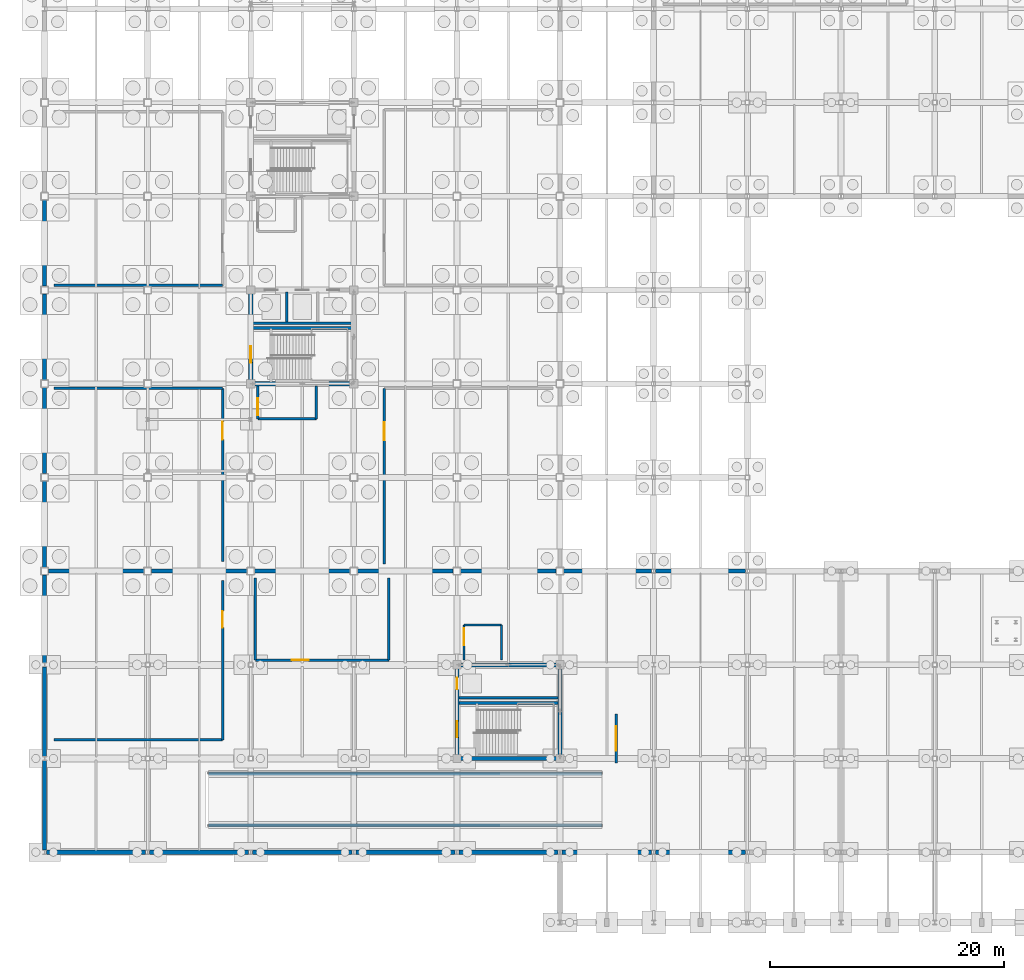
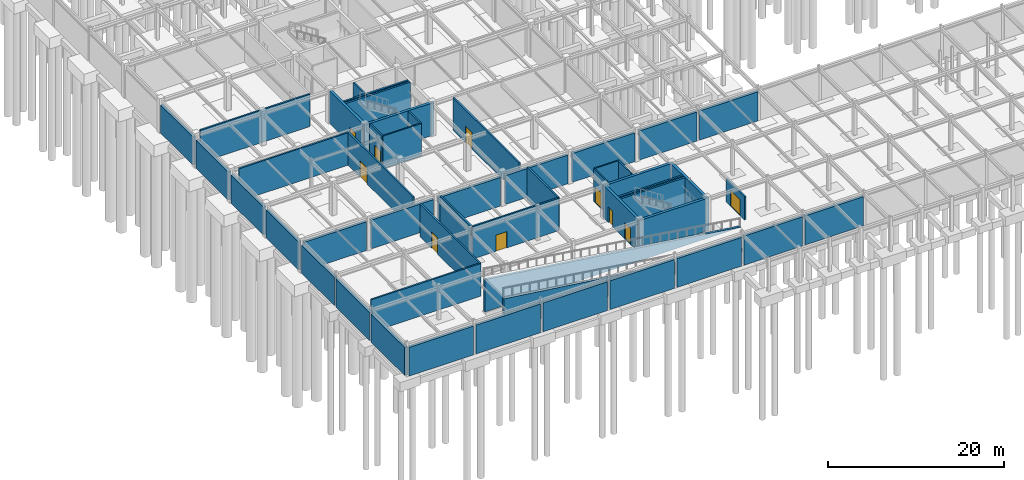
# One storey, part 60 of 72: 50 walls, 10 doors, 10 openings.
"""IFC4 building model written with IfcOpenShell, lengths in metres."""

import ifcopenshell
import ifcopenshell.guid

model = None  # the IFC model being written
_history = None  # IfcOwnerHistory: only IFC2X3 demands one
_inside = {}  # id of a spatial element -> (the spatial element, [elements in it])
_under = {}  # id of a project, library or spatial element -> (it, [spatial elements below it])
_declared = {}  # id of a project -> (the project, [libraries it declares])
_typed = {}  # id of a type object -> (the type object, [elements of that type])
_made_of = {}  # id of a material, layer set ... -> (it, [elements and type objects made of it])


def new_model(schema):
    """Start an empty IFC model of exactly this schema.

    Asked for "IFC4X3", IfcOpenShell would pick the latest addendum, in which some entities
    have other attributes; the version numbers below select the first issue.
    IFC2X3 requires an IfcOwnerHistory on every rooted entity: one is made here for all.
    """
    global model, _history
    if schema == "IFC4X3":
        model = ifcopenshell.file(schema_version=(4, 3, 0, 0))
    else:
        model = ifcopenshell.file(schema=schema)
    _inside.clear()
    _under.clear()
    _declared.clear()
    _typed.clear()
    _made_of.clear()
    _history = None
    if model.schema == "IFC2X3":
        org = make("IfcOrganization", Name="unknown")
        user = make(
            "IfcPersonAndOrganization",
            ThePerson=make("IfcPerson", FamilyName="unknown"),
            TheOrganization=org,
        )
        app = make(
            "IfcApplication",
            ApplicationDeveloper=org,
            Version="unknown",
            ApplicationFullName="unknown",
            ApplicationIdentifier="unknown",
        )
        _history = make(
            "IfcOwnerHistory",
            OwningUser=user,
            OwningApplication=app,
            ChangeAction="ADDED",
            CreationDate=0,
        )
    return model


def make(cls, **values):
    """One entity of the class cls with the attributes given. An attribute that is None is left unset."""
    return model.create_entity(
        cls, **{name: value for name, value in values.items() if value is not None}
    )


def rooted(cls, **values):
    """An entity with a GlobalId (a new one), such as an element, a storey or a relation."""
    return make(cls, GlobalId=ifcopenshell.guid.new(), OwnerHistory=_history, **values)


def si_unit(unit_type, name, prefix=None):
    """IfcSIUnit, for example si_unit("LENGTHUNIT", "METRE", prefix="MILLI")."""
    return make("IfcSIUnit", UnitType=unit_type, Prefix=prefix, Name=name)


def assignment(units):
    """IfcUnitAssignment: the units of a project."""
    return None if units is None else make("IfcUnitAssignment", Units=units)


def point(xyz):
    """IfcCartesianPoint."""
    return None if xyz is None else make("IfcCartesianPoint", Coordinates=xyz)


def direction(xyz):
    """IfcDirection."""
    return None if xyz is None else make("IfcDirection", DirectionRatios=xyz)


def frame(location, z_axis=None, x_axis=None):
    """IfcAxis2Placement3D, a coordinate frame: its origin and axes. An axis left out is left unset."""
    return make(
        "IfcAxis2Placement3D",
        Location=point(location),
        Axis=direction(z_axis),
        RefDirection=direction(x_axis),
    )


def frame_2d(location, x_axis=None):
    """IfcAxis2Placement2D, a coordinate frame in the plane: its origin and x axis."""
    return make(
        "IfcAxis2Placement2D", Location=point(location), RefDirection=direction(x_axis)
    )


def origin():
    """The frame at (0, 0, 0) with its axes left unset."""
    return frame((0.0, 0.0, 0.0))


def place(relative_to, where):
    """IfcLocalPlacement: puts the frame where relative to a parent placement (None: the world)."""
    return make(
        "IfcLocalPlacement", PlacementRelTo=relative_to, RelativePlacement=where
    )


def context(
    kind, dimensions, precision=None, world=None, true_north=None, identifier=None
):
    """IfcGeometricRepresentationContext, for example the 3D "Model" context."""
    return make(
        "IfcGeometricRepresentationContext",
        ContextIdentifier=identifier,
        ContextType=kind,
        CoordinateSpaceDimension=dimensions,
        Precision=precision,
        WorldCoordinateSystem=world,
        TrueNorth=true_north,
    )


def subcontext(parent, identifier, kind, view, scale=None):
    """IfcGeometricRepresentationSubContext, for example "Body" below "Model"."""
    return make(
        "IfcGeometricRepresentationSubContext",
        ContextIdentifier=identifier,
        ContextType=kind,
        ParentContext=parent,
        TargetScale=scale,
        TargetView=view,
    )


def project(units=None, contexts=None):
    """IfcProject with its units and contexts."""
    return rooted(
        "IfcProject",
        Name="project",
        RepresentationContexts=contexts,
        UnitsInContext=assignment(units),
    )


def spatial(cls, under=None, at=None, **own):
    """A site, building, storey or space (cls), placed at a placement, below another one or the project."""
    s = rooted(cls, ObjectPlacement=at, **own)
    if under is not None:
        _under.setdefault(under.id(), (under, []))[1].append(s)
    return s


def polyline(points):
    """IfcPolyline through the points."""
    return make("IfcPolyline", Points=[point(p) for p in points])


def profile(cls, at=None, kind="AREA", **sizes):
    """A parametric profile (cls). Its sizes go by their IFC names, for example OverallWidth=200.0."""
    return make(cls, ProfileType=kind, Position=at, **sizes)


def rectangle(**sizes):
    """IfcRectangleProfileDef."""
    return profile("IfcRectangleProfileDef", **sizes)


def outline(outer, holes=None, kind="AREA"):
    """IfcArbitraryClosedProfileDef: a profile drawn as a closed curve; with holes, ...WithVoids."""
    if holes is None:
        return make("IfcArbitraryClosedProfileDef", ProfileType=kind, OuterCurve=outer)
    return make(
        "IfcArbitraryProfileDefWithVoids",
        ProfileType=kind,
        OuterCurve=outer,
        InnerCurves=holes,
    )


def extrude(swept, where, along, depth):
    """IfcExtrudedAreaSolid: the profile swept, set in the frame where, extruded along a direction by depth."""
    return make(
        "IfcExtrudedAreaSolid",
        SweptArea=swept,
        Position=where,
        ExtrudedDirection=direction(along),
        Depth=depth,
    )


def shape(context_of_items, identifier, shape_type, items):
    """IfcShapeRepresentation: the items that make up one representation, for example the "Body"."""
    return make(
        "IfcShapeRepresentation",
        ContextOfItems=context_of_items,
        RepresentationIdentifier=identifier,
        RepresentationType=shape_type,
        Items=items,
    )


def material(Name=None, Category=None):
    """IfcMaterial."""
    return make("IfcMaterial", Name=Name, Category=Category)


def layer(
    of_material, thickness, ventilated=None, Name=None, Category=None, Priority=None
):
    """IfcMaterialLayer: one layer of a wall or slab, of a material (None: an air gap)."""
    return make(
        "IfcMaterialLayer",
        Material=of_material,
        LayerThickness=thickness,
        IsVentilated=ventilated,
        Name=Name,
        Category=Category,
        Priority=Priority,
    )


def layer_set(layers, Name=None):
    """IfcMaterialLayerSet."""
    return make("IfcMaterialLayerSet", MaterialLayers=layers, LayerSetName=Name)


def made_of(thing, what):
    """Note that an element or type object is made of a material, layer set ...; save() writes the relation."""
    if what is not None:
        _made_of.setdefault(what.id(), (what, []))[1].append(thing)
    return thing


def type_object(cls, material=None, **own):
    """A type object (cls), such as IfcWallType, which elements share."""
    return made_of(rooted(cls, **own), material)


def element(
    cls,
    number,
    at=None,
    inside=None,
    cuts=None,
    type_object=None,
    material=None,
    context=None,
    identifier="Body",
    shape_type=None,
    held_by="IfcProductDefinitionShape",
    body=None,
    shapes=None,
    **own,
):
    """One element of the class cls, such as IfcWall. Its Tag is "e" and its number.

    at: its placement. inside: the storey or other place that contains it. cuts: it is an
    opening in that element (IfcRelVoidsElement). A single representation is given by context,
    identifier, shape_type and body (its items); several are given by shapes. held_by: the class
    of the entity that holds the representations. save() writes the other relations.
    """
    e = rooted(cls, Tag="e%d" % number, ObjectPlacement=at, **own)
    if body is not None:
        shapes = [shape(context, identifier, shape_type, body)]
    if shapes is not None:
        e.Representation = make(held_by, Representations=shapes)
    if inside is not None:
        _inside.setdefault(inside.id(), (inside, []))[1].append(e)
    if cuts is not None:
        rooted(
            "IfcRelVoidsElement", RelatingBuildingElement=cuts, RelatedOpeningElement=e
        )
    if type_object is not None:
        _typed.setdefault(type_object.id(), (type_object, []))[1].append(e)
    return made_of(e, material)


def fill(opening, filler):
    """IfcRelFillsElement: the door or window that sits in an opening."""
    return rooted(
        "IfcRelFillsElement",
        RelatingOpeningElement=opening,
        RelatedBuildingElement=filler,
    )


def aggregate(whole, parts):
    """IfcRelAggregates: a whole, such as a stair, and the parts it consists of."""
    return rooted("IfcRelAggregates", RelatingObject=whole, RelatedObjects=parts)


def save(model, path):
    """Write the relations noted so far, then the file.

    IfcRelAggregates (storeys below a building ...), IfcRelContainedInSpatialStructure (elements
    in a storey), IfcRelDefinesByType, IfcRelAssociatesMaterial and IfcRelDeclares: one each for
    every whole, place, type object, material and project.
    """
    for whole, parts in _under.values():
        aggregate(whole, parts)
    for where, things in _inside.values():
        rooted(
            "IfcRelContainedInSpatialStructure",
            RelatedElements=things,
            RelatingStructure=where,
        )
    for kind, things in _typed.values():
        rooted("IfcRelDefinesByType", RelatedObjects=things, RelatingType=kind)
    for what, things in _made_of.values():
        rooted("IfcRelAssociatesMaterial", RelatedObjects=things, RelatingMaterial=what)
    for by, libraries in _declared.values():
        rooted("IfcRelDeclares", RelatingContext=by, RelatedDefinitions=libraries)
    model.write(path)


model = new_model("IFC4")

# Units and contexts
model_context = context("Model", 3, precision=1e-05, world=origin(), true_north=direction((0.0, 1.0)))
body_context = subcontext(model_context, "Body", "Model", "MODEL_VIEW")
ifc_project = project(units=[si_unit("LENGTHUNIT", "METRE"), si_unit("AREAUNIT", "SQUARE_METRE"), si_unit("VOLUMEUNIT", "CUBIC_METRE"), si_unit("PLANEANGLEUNIT", "RADIAN"), si_unit("MASSUNIT", "GRAM", prefix="KILO")], contexts=[model_context])

# Site, building, storey
site_placement = place(None, origin())
site = spatial("IfcSite", under=ifc_project, at=site_placement, CompositionType="ELEMENT")
building_placement = place(site_placement, origin())
building = spatial("IfcBuilding", under=site, at=building_placement, Name="Zhaolan Boulevard Law Courts", CompositionType="ELEMENT")
storey_placement = place(building_placement, frame((0.0, 0.0, -4.800048828125)))
storey = spatial("IfcBuildingStorey", under=building, at=storey_placement, Name="B1", CompositionType="ELEMENT", Elevation=-4.800048828125)

# Walls
ifc_material_1 = material(Name="Concrete C50", Category="concrete")
ifc_layer_1 = layer(ifc_material_1, 0.300048828125)
ifc_layer_set_1 = layer_set([ifc_layer_1])
wall_type_1 = type_object("IfcWallType", Name="CORE SHEAR WALL 300", PredefinedType="SHEAR", material=ifc_layer_set_1)
for number, where, z_axis, x_axis, name in (
    (1, (14.0, 8.320068359375, 0.0), (0.0, 0.0, 1.0), (1.0, 0.0, 0.0), "Vehicle Ramp Cheek Support Wall VRW-S"),
    (2, (14.0, 12.679931640625, 0.0), (0.0, 0.0, 1.0), (1.0, 0.0, 0.0), "Vehicle Ramp Cheek Support Wall VRW-N"),
):
    element("IfcWall", number, at=place(storey_placement, frame(where, z_axis=z_axis, x_axis=x_axis)), inside=storey, type_object=wall_type_1, Name=name, PredefinedType="SHEAR", context=body_context, shape_type="SweptSolid", body=[
        extrude(outline(polyline([(0.0, 0.0), (33.60009765625, 0.0), (33.60009765625, 0.050048828125), (0.0, 4.47998046875), (0.0, 0.0)])), frame((0.0, 0.14990234375, 0.0), z_axis=(0.0, -1.0, 0.0), x_axis=(1.0, 0.0, 0.0)), (0.0, 0.0, 1.0), 0.300048828125),
    ])
ifc_material_2 = material(Name="Concrete C50", Category="concrete")
ifc_layer_2 = layer(ifc_material_2, 0.35009765625)
ifc_layer_set_2 = layer_set([ifc_layer_2])
wall_type_2 = type_object("IfcWallType", Name="CORE SHEAR WALL 350", PredefinedType="SHEAR", material=ifc_layer_set_2)
wall_1_placement = place(storey_placement, frame((17.425048828125, 46.0, 0.0), z_axis=(0.0, 0.0, 1.0), x_axis=(1.0, 0.0, 0.0)))
element("IfcWall", 3, at=wall_1_placement, inside=storey, type_object=wall_type_2, Name="Core Shear Wall CW-W1-B1S", PredefinedType="SHEAR", context=body_context, shape_type="SweptSolid", body=[
    extrude(rectangle(XDim=9.14990234375, YDim=0.35009765625, at=frame_2d((4.574951171875, 0.0))), origin(), (0.0, 0.0, 1.0), 4.52001953125),
])

# Wall, opening, door
wall_2_placement = place(storey_placement, frame((17.60009765625, 46.175048828125, 0.0), z_axis=(0.0, 0.0, 1.0), x_axis=(0.0, 1.0, 0.0)))
wall_2 = element("IfcWall", 4, at=wall_2_placement, inside=storey, type_object=wall_type_2, Name="Core Shear Wall CW-W1-B1W", PredefinedType="SHEAR", context=body_context, shape_type="SweptSolid", body=[
    extrude(rectangle(XDim=7.64990234375, YDim=0.35009765625, at=frame_2d((3.824951171875, 0.0))), origin(), (0.0, 0.0, 1.0), 4.52001953125),
])
opening_1_placement = place(wall_2_placement, frame((1.625, 0.0, 0.0)))
opening_1 = element("IfcOpeningElement", 5, at=opening_1_placement, cuts=wall_2, Name="Opening SD-B1-01", PredefinedType="OPENING", context=body_context, shape_type="SweptSolid", body=[
    extrude(rectangle(XDim=1.39990234375, YDim=2.199951171875, at=frame_2d((0.699951171875, 1.10009765625))), frame((0.0, 0.18505859375, 0.0), z_axis=(0.0, -1.0, 0.0), x_axis=(1.0, 0.0, 0.0)), (0.0, 0.0, 1.0), 0.3701171875),
])
ifc_material_3 = material(Name="Fire-rated steel acoustic door", Category="steel")
door_type_1 = type_object("IfcDoorType", Name="STAIR FIRE 1400X2200 L", OperationType="SINGLE_SWING_LEFT", PredefinedType="DOOR", material=ifc_material_3)
door_1_placement = place(opening_1_placement, origin())
door_1 = element("IfcDoor", 6, at=door_1_placement, inside=storey, type_object=door_type_1, Name="Smoke-Proof Stairwell Fire Door SD-B1-01", OperationType="SINGLE_SWING_LEFT", OverallHeight=2.199951171875, OverallWidth=1.39990234375, PredefinedType="DOOR", context=body_context, shape_type="SweptSolid", body=[
    extrude(rectangle(XDim=1.39990234375, YDim=2.199951171875, at=frame_2d((0.699951171875, 1.10009765625))), frame((0.0, 0.02490234375, 0.0), z_axis=(0.0, -1.0, 0.0), x_axis=(1.0, 0.0, 0.0)), (0.0, 0.0, 1.0), 0.050048828125),
])
fill(opening_1, door_1)

# Walls
for number, where, z_axis, x_axis, name in (
    (7, (35.02490234375, 14.0, 0.0), (0.0, 0.0, 1.0), (1.0, 0.0, 0.0), "Core Shear Wall CW-P1-B1S"),
    (8, (44.175048828125, 22.0, 0.0), (0.0, 0.0, 1.0), (-1.0, 0.0, 0.0), "Core Shear Wall CW-P1-B1N"),
):
    element("IfcWall", number, at=place(storey_placement, frame(where, z_axis=z_axis, x_axis=x_axis)), inside=storey, type_object=wall_type_2, Name=name, PredefinedType="SHEAR", context=body_context, shape_type="SweptSolid", body=[
        extrude(rectangle(XDim=9.150146484375, YDim=0.35009765625, at=frame_2d((4.5751953125, 0.0))), origin(), (0.0, 0.0, 1.0), 4.52001953125),
    ])

# Wall, openings, doors
wall_3_placement = place(storey_placement, frame((35.199951171875, 14.175048828125, 0.0), z_axis=(0.0, 0.0, 1.0), x_axis=(0.0, 1.0, 0.0)))
wall_3 = element("IfcWall", 9, at=wall_3_placement, inside=storey, type_object=wall_type_2, Name="Core Shear Wall CW-P1-B1W", PredefinedType="SHEAR", context=body_context, shape_type="SweptSolid", body=[
    extrude(rectangle(XDim=7.64990234375, YDim=0.35009765625, at=frame_2d((3.824951171875, 0.0))), origin(), (0.0, 0.0, 1.0), 4.52001953125),
])
opening_2_placement = place(wall_3_placement, frame((1.625, 0.0, 0.0)))
opening_2 = element("IfcOpeningElement", 10, at=opening_2_placement, cuts=wall_3, Name="Opening SD-B1-23", PredefinedType="OPENING", context=body_context, shape_type="SweptSolid", body=[
    extrude(rectangle(XDim=1.39990234375, YDim=2.199951171875, at=frame_2d((0.699951171875, 1.10009765625))), frame((0.0, 0.18505859375, 0.0), z_axis=(0.0, -1.0, 0.0), x_axis=(1.0, 0.0, 0.0)), (0.0, 0.0, 1.0), 0.3701171875),
])
opening_3_placement = place(wall_3_placement, frame((5.72509765625, 0.0, 0.0)))
opening_3 = element("IfcOpeningElement", 11, at=opening_3_placement, cuts=wall_3, Name="Opening LD-PL-01-B1", PredefinedType="OPENING", context=body_context, shape_type="SweptSolid", body=[
    extrude(rectangle(XDim=1.0, YDim=2.14990234375, at=frame_2d((0.5, 1.074951171875))), frame((0.0, 0.18505859375, 0.0), z_axis=(0.0, -1.0, 0.0), x_axis=(1.0, 0.0, 0.0)), (0.0, 0.0, 1.0), 0.3701171875),
])
ifc_material_4 = material(Name="Stainless steel sliding landing door", Category="steel")
door_type_2 = type_object("IfcDoorType", Name="LIFT LANDING 1000X2150", OperationType="DOUBLE_DOOR_SLIDING", PredefinedType="DOOR", material=ifc_material_4)
door_2_placement = place(opening_3_placement, origin())
door_2 = element("IfcDoor", 12, at=door_2_placement, inside=storey, type_object=door_type_2, Name="Lift Landing Sliding Door LD-PL-01-B1", OperationType="DOUBLE_DOOR_SLIDING", OverallHeight=2.14990234375, OverallWidth=1.0, PredefinedType="DOOR", context=body_context, shape_type="SweptSolid", body=[
    extrude(rectangle(XDim=1.0, YDim=2.14990234375, at=frame_2d((0.5, 1.074951171875))), frame((0.0, 0.02490234375, 0.0), z_axis=(0.0, -1.0, 0.0), x_axis=(1.0, 0.0, 0.0)), (0.0, 0.0, 1.0), 0.050048828125),
])
fill(opening_3, door_2)
door_3_placement = place(opening_2_placement, origin())
door_3 = element("IfcDoor", 13, at=door_3_placement, inside=storey, type_object=door_type_1, Name="Smoke-Proof Stairwell Fire Door SD-B1-23", OperationType="SINGLE_SWING_LEFT", OverallHeight=2.199951171875, OverallWidth=1.39990234375, PredefinedType="DOOR", context=body_context, shape_type="SweptSolid", body=[
    extrude(rectangle(XDim=1.39990234375, YDim=2.199951171875, at=frame_2d((0.699951171875, 1.10009765625))), frame((0.0, 0.02490234375, 0.0), z_axis=(0.0, -1.0, 0.0), x_axis=(1.0, 0.0, 0.0)), (0.0, 0.0, 1.0), 0.050048828125),
])
fill(opening_2, door_3)

# Walls
wall_4_placement = place(storey_placement, frame((44.0, 14.175048828125, 0.0), z_axis=(0.0, 0.0, 1.0), x_axis=(0.0, 1.0, 0.0)))
element("IfcWall", 14, at=wall_4_placement, inside=storey, type_object=wall_type_2, Name="Core Shear Wall CW-P1-B1E", PredefinedType="SHEAR", context=body_context, shape_type="SweptSolid", body=[
    extrude(rectangle(XDim=7.64990234375, YDim=0.35009765625, at=frame_2d((3.824951171875, 0.0))), origin(), (0.0, 0.0, 1.0), 4.52001953125),
])
ifc_material_5 = material(Name="Concrete C40", Category="concrete")
ifc_layer_3 = layer(ifc_material_5, 0.360107421875)
ifc_layer_set_3 = layer_set([ifc_layer_3])
wall_type_3 = type_object("IfcWallType", Name="EXT WALL RETAINING360", PredefinedType="USERDEFINED", material=ifc_layer_set_3)
for number, where, z_axis, x_axis, name in (
    (15, (0.1708984375, 6.0, 0.0), (0.0, 0.0, 1.0), (1.0, 0.0, 0.0), "Exterior Wall EW-B1-001"),
    (16, (8.970947265625, 6.0, 0.0), (0.0, 0.0, 1.0), (1.0, 0.0, 0.0), "Exterior Wall EW-B1-002"),
    (17, (17.77099609375, 6.0, 0.0), (0.0, 0.0, 1.0), (1.0, 0.0, 0.0), "Exterior Wall EW-B1-003"),
    (18, (26.571044921875, 6.0, 0.0), (0.0, 0.0, 1.0), (1.0, 0.0, 0.0), "Exterior Wall EW-B1-004"),
    (19, (35.37109375, 6.0, 0.0), (0.0, 0.0, 1.0), (1.0, 0.0, 0.0), "Exterior Wall EW-B1-005"),
):
    element("IfcWall", number, at=place(storey_placement, frame(where, z_axis=z_axis, x_axis=x_axis)), inside=storey, type_object=wall_type_3, Name=name, ObjectType="RETAININGWALL", PredefinedType="USERDEFINED", context=body_context, shape_type="SweptSolid", body=[
        extrude(rectangle(XDim=8.4580078125, YDim=0.360107421875, at=frame_2d((4.22900390625, 0.0))), origin(), (0.0, 0.0, 1.0), 3.9951171875),
    ])
for number, where, z_axis, x_axis, name in (
    (20, (44.1708984375, 6.0, 0.0), (0.0, 0.0, 1.0), (1.0, 0.0, 0.0), "Exterior Wall EW-B1-006"),
    (21, (52.1708984375, 6.0, 0.0), (0.0, 0.0, 1.0), (1.0, 0.0, 0.0), "Exterior Wall EW-B1-007"),
):
    element("IfcWall", number, at=place(storey_placement, frame(where, z_axis=z_axis, x_axis=x_axis)), inside=storey, type_object=wall_type_3, Name=name, ObjectType="RETAININGWALL", PredefinedType="USERDEFINED", context=body_context, shape_type="SweptSolid", body=[
        extrude(rectangle(XDim=7.658203125, YDim=0.360107421875, at=frame_2d((3.8291015625, 0.0))), origin(), (0.0, 0.0, 1.0), 4.04296875),
    ])
for number, where, z_axis, x_axis, name in (
    (22, (8.47900390625, 30.0, 0.0), (0.0, 0.0, 1.0), (-1.0, 0.0, 0.0), "Exterior Wall EW-B1-016"),
    (23, (17.279052734375, 30.0, 0.0), (0.0, 0.0, 1.0), (-1.0, 0.0, 0.0), "Exterior Wall EW-B1-017"),
):
    element("IfcWall", number, at=place(storey_placement, frame(where, z_axis=z_axis, x_axis=x_axis)), inside=storey, type_object=wall_type_3, Name=name, ObjectType="RETAININGWALL", PredefinedType="USERDEFINED", context=body_context, shape_type="SweptSolid", body=[
        extrude(rectangle(XDim=8.157958984375, YDim=0.360107421875, at=frame_2d((4.0791015625, 0.0))), origin(), (0.0, 0.0, 1.0), 3.9951171875),
    ])
wall_5_placement = place(storey_placement, frame((26.0791015625, 30.0, 0.0), z_axis=(0.0, 0.0, 1.0), x_axis=(-1.0, 0.0, 0.0)))
element("IfcWall", 24, at=wall_5_placement, inside=storey, type_object=wall_type_3, Name="Exterior Wall EW-B1-018", ObjectType="RETAININGWALL", PredefinedType="USERDEFINED", context=body_context, shape_type="SweptSolid", body=[
    extrude(rectangle(XDim=8.158203125, YDim=0.360107421875, at=frame_2d((4.0791015625, 0.0))), origin(), (0.0, 0.0, 1.0), 3.9951171875),
])
for number, where, z_axis, x_axis, name in (
    (25, (34.87890625, 30.0, 0.0), (0.0, 0.0, 1.0), (-1.0, 0.0, 0.0), "Exterior Wall EW-B1-019"),
    (26, (43.678955078125, 30.0, 0.0), (0.0, 0.0, 1.0), (-1.0, 0.0, 0.0), "Exterior Wall EW-B1-020"),
):
    element("IfcWall", number, at=place(storey_placement, frame(where, z_axis=z_axis, x_axis=x_axis)), inside=storey, type_object=wall_type_3, Name=name, ObjectType="RETAININGWALL", PredefinedType="USERDEFINED", context=body_context, shape_type="SweptSolid", body=[
        extrude(rectangle(XDim=8.157958984375, YDim=0.360107421875, at=frame_2d((4.0791015625, 0.0))), origin(), (0.0, 0.0, 1.0), 3.9951171875),
    ])
wall_6_placement = place(storey_placement, frame((51.8291015625, 30.0, 0.0), z_axis=(0.0, 0.0, 1.0), x_axis=(-1.0, 0.0, 0.0)))
element("IfcWall", 27, at=wall_6_placement, inside=storey, type_object=wall_type_3, Name="Exterior Wall EW-B1-021", ObjectType="RETAININGWALL", PredefinedType="USERDEFINED", context=body_context, shape_type="SweptSolid", body=[
    extrude(rectangle(XDim=7.508056640625, YDim=0.360107421875, at=frame_2d((3.75390625, 0.0))), origin(), (0.0, 0.0, 1.0), 4.04296875),
])
wall_7_placement = place(storey_placement, frame((59.8291015625, 30.0, 0.0), z_axis=(0.0, 0.0, 1.0), x_axis=(-1.0, 0.0, 0.0)))
element("IfcWall", 28, at=wall_7_placement, inside=storey, type_object=wall_type_3, Name="Exterior Wall EW-B1-022", ObjectType="RETAININGWALL", PredefinedType="USERDEFINED", context=body_context, shape_type="SweptSolid", body=[
    extrude(rectangle(XDim=7.658203125, YDim=0.360107421875, at=frame_2d((3.8291015625, 0.0))), origin(), (0.0, 0.0, 1.0), 4.04296875),
])
for number, where, z_axis, x_axis, name in (
    (29, (0.0, 13.8291015625, 0.0), (0.0, 0.0, 1.0), (0.0, -1.0, 0.0), "Exterior Wall EW-B1-031"),
    (30, (0.0, 21.8291015625, 0.0), (0.0, 0.0, 1.0), (0.0, -1.0, 0.0), "Exterior Wall EW-B1-032"),
):
    element("IfcWall", number, at=place(storey_placement, frame(where, z_axis=z_axis, x_axis=x_axis)), inside=storey, type_object=wall_type_3, Name=name, ObjectType="RETAININGWALL", PredefinedType="USERDEFINED", context=body_context, shape_type="SweptSolid", body=[
        extrude(rectangle(XDim=7.658203125, YDim=0.360107421875, at=frame_2d((3.8291015625, 0.0))), origin(), (0.0, 0.0, 1.0), 3.883056640625),
    ])
wall_8_placement = place(storey_placement, frame((0.0, 29.678955078125, 0.0), z_axis=(0.0, 0.0, 1.0), x_axis=(0.0, -1.0, 0.0)))
element("IfcWall", 31, at=wall_8_placement, inside=storey, type_object=wall_type_3, Name="Exterior Wall EW-B1-033", ObjectType="RETAININGWALL", PredefinedType="USERDEFINED", context=body_context, shape_type="SweptSolid", body=[
    extrude(rectangle(XDim=7.508056640625, YDim=0.360107421875, at=frame_2d((3.75390625, 0.0))), origin(), (0.0, 0.0, 1.0), 3.883056640625),
])
for number, where, z_axis, x_axis, name in (
    (32, (0.0, 37.678955078125, 0.0), (0.0, 0.0, 1.0), (0.0, -1.0, 0.0), "Exterior Wall EW-B1-049"),
    (33, (0.0, 45.678955078125, 0.0), (0.0, 0.0, 1.0), (0.0, -1.0, 0.0), "Exterior Wall EW-B1-050"),
    (34, (0.0, 53.678955078125, 0.0), (0.0, 0.0, 1.0), (0.0, -1.0, 0.0), "Exterior Wall EW-B1-051"),
    (35, (0.0, 61.678955078125, 0.0), (0.0, 0.0, 1.0), (0.0, -1.0, 0.0), "Exterior Wall EW-B1-052"),
):
    element("IfcWall", number, at=place(storey_placement, frame(where, z_axis=z_axis, x_axis=x_axis)), inside=storey, type_object=wall_type_3, Name=name, ObjectType="RETAININGWALL", PredefinedType="USERDEFINED", context=body_context, shape_type="SweptSolid", body=[
        extrude(rectangle(XDim=7.35791015625, YDim=0.360107421875, at=frame_2d((3.678955078125, 0.0))), origin(), (0.0, 0.0, 1.0), 3.883056640625),
    ])
ifc_material_6 = material(Name="Concrete C50", Category="concrete")
ifc_layer_4 = layer(ifc_material_6, 0.239990234375)
ifc_layer_set_4 = layer_set([ifc_layer_4])
wall_type_4 = type_object("IfcWallType", Name="LIFT SHAFT WALL 240", PredefinedType="SHEAR", material=ifc_layer_set_4)
wall_9_placement = place(storey_placement, frame((17.77490234375, 51.155029296875, 0.0), z_axis=(0.0, 0.0, 1.0), x_axis=(1.0, 0.0, 0.0)))
element("IfcWall", 36, at=wall_9_placement, inside=storey, type_object=wall_type_4, Name="Lift Shaft Enclosure Wall W1 (B1)", PredefinedType="SHEAR", context=body_context, shape_type="SweptSolid", body=[
    extrude(rectangle(XDim=8.4501953125, YDim=0.239990234375, at=frame_2d((4.22509765625, 0.0))), origin(), (0.0, 0.0, 1.0), 4.52001953125),
])
wall_10_placement = place(storey_placement, frame((35.375, 19.179931640625, 0.0), z_axis=(0.0, 0.0, 1.0), x_axis=(1.0, 0.0, 0.0)))
element("IfcWall", 37, at=wall_10_placement, inside=storey, type_object=wall_type_4, Name="Lift Shaft Enclosure Wall P1 (B1)", PredefinedType="SHEAR", context=body_context, shape_type="SweptSolid", body=[
    extrude(rectangle(XDim=8.449951171875, YDim=0.239990234375, at=frame_2d((4.22509765625, 0.0))), origin(), (0.0, 0.0, 1.0), 4.52001953125),
])
ifc_material_7 = material(Name="Acoustic gypsum and mineral-wool stud")
ifc_layer_5 = layer(ifc_material_7, 0.18994140625)
ifc_layer_set_5 = layer_set([ifc_layer_5])
wall_type_5 = type_object("IfcWallType", Name="PART WALL ACOUST190", PredefinedType="PARTITIONING", material=ifc_layer_set_5)
wall_11_placement = place(storey_placement, frame((18.199951171875, 43.0, 0.0), z_axis=(0.0, 0.0, 1.0), x_axis=(1.0, 0.0, 0.0)))
element("IfcWall", 38, at=wall_11_placement, inside=storey, type_object=wall_type_5, Name="Interior Partition PW-B1-001", PredefinedType="PARTITIONING", context=body_context, shape_type="SweptSolid", body=[
    extrude(rectangle(XDim=5.0, YDim=0.18994140625, at=frame_2d((2.5, 0.0))), origin(), (0.0, 0.0, 1.0), 4.52001953125),
])

# Wall, opening, door
wall_12_placement = place(storey_placement, frame((18.199951171875, 45.800048828125, 0.0), z_axis=(0.0, 0.0, 1.0), x_axis=(0.0, -1.0, 0.0)))
wall_12 = element("IfcWall", 39, at=wall_12_placement, inside=storey, type_object=wall_type_5, Name="Interior Partition PW-B1-002", PredefinedType="PARTITIONING", context=body_context, shape_type="SweptSolid", body=[
    extrude(rectangle(XDim=2.800048828125, YDim=0.18994140625, at=frame_2d((1.39990234375, 0.0))), origin(), (0.0, 0.0, 1.0), 4.52001953125),
])
opening_4_placement = place(wall_12_placement, frame((1.050048828125, 0.0, 0.0)))
opening_4 = element("IfcOpeningElement", 40, at=opening_4_placement, cuts=wall_12, Name="Opening FD-B1-001", PredefinedType="OPENING", context=body_context, shape_type="SweptSolid", body=[
    extrude(rectangle(XDim=1.449951171875, YDim=2.199951171875, at=frame_2d((0.72509765625, 1.10009765625))), frame((0.0, 0.10498046875, 0.0), z_axis=(0.0, -1.0, 0.0), x_axis=(1.0, 0.0, 0.0)), (0.0, 0.0, 1.0), 0.2099609375),
])
ifc_material_8 = material(Name="Fire-rated steel acoustic door", Category="steel")
door_type_3 = type_object("IfcDoorType", Name="LOBBY FIRE 1450X2200 L", OperationType="SINGLE_SWING_LEFT", PredefinedType="DOOR", material=ifc_material_8)
door_4_placement = place(opening_4_placement, origin())
door_4 = element("IfcDoor", 41, at=door_4_placement, inside=storey, type_object=door_type_3, Name="Door FD-B1-001 (Lobby Firefighting Lift B1-W1)", OperationType="SINGLE_SWING_LEFT", OverallHeight=2.199951171875, OverallWidth=1.449951171875, PredefinedType="DOOR", context=body_context, shape_type="SweptSolid", body=[
    extrude(rectangle(XDim=1.449951171875, YDim=2.199951171875, at=frame_2d((0.72509765625, 1.10009765625))), frame((0.0, 0.02490234375, 0.0), z_axis=(0.0, -1.0, 0.0), x_axis=(1.0, 0.0, 0.0)), (0.0, 0.0, 1.0), 0.050048828125),
])
fill(opening_4, door_4)

# Walls
wall_13_placement = place(storey_placement, frame((23.199951171875, 43.0, 0.0), z_axis=(0.0, 0.0, 1.0), x_axis=(0.0, 1.0, 0.0)))
element("IfcWall", 42, at=wall_13_placement, inside=storey, type_object=wall_type_5, Name="Interior Partition PW-B1-003", PredefinedType="PARTITIONING", context=body_context, shape_type="SweptSolid", body=[
    extrude(rectangle(XDim=2.800048828125, YDim=0.18994140625, at=frame_2d((1.39990234375, 0.0))), origin(), (0.0, 0.0, 1.0), 4.52001953125),
])
wall_14_placement = place(storey_placement, frame((39.0, 25.39990234375, 0.0), z_axis=(0.0, 0.0, 1.0), x_axis=(-1.0, 0.0, 0.0)))
element("IfcWall", 43, at=wall_14_placement, inside=storey, type_object=wall_type_5, Name="Interior Partition PW-B1-067", PredefinedType="PARTITIONING", context=body_context, shape_type="SweptSolid", body=[
    extrude(rectangle(XDim=3.199951171875, YDim=0.18994140625, at=frame_2d((1.60009765625, 0.0))), origin(), (0.0, 0.0, 1.0), 4.52001953125),
])

# Wall, opening, door
wall_15_placement = place(storey_placement, frame((35.800048828125, 25.39990234375, 0.0), z_axis=(0.0, 0.0, 1.0), x_axis=(0.0, -1.0, 0.0)))
wall_15 = element("IfcWall", 44, at=wall_15_placement, inside=storey, type_object=wall_type_5, Name="Interior Partition PW-B1-068", PredefinedType="PARTITIONING", context=body_context, shape_type="SweptSolid", body=[
    extrude(rectangle(XDim=3.0, YDim=0.18994140625, at=frame_2d((1.5, 0.0))), origin(), (0.0, 0.0, 1.0), 4.52001953125),
])
opening_5_placement = place(wall_15_placement, frame((0.300048828125, 0.0, 0.0)))
opening_5 = element("IfcOpeningElement", 45, at=opening_5_placement, cuts=wall_15, Name="Opening FD-B1-023", PredefinedType="OPENING", context=body_context, shape_type="SweptSolid", body=[
    extrude(rectangle(XDim=1.449951171875, YDim=2.199951171875, at=frame_2d((0.72509765625, 1.10009765625))), frame((0.0, 0.10498046875, 0.0), z_axis=(0.0, -1.0, 0.0), x_axis=(1.0, 0.0, 0.0)), (0.0, 0.0, 1.0), 0.2099609375),
])
door_5_placement = place(opening_5_placement, origin())
door_5 = element("IfcDoor", 46, at=door_5_placement, inside=storey, type_object=door_type_3, Name="Door FD-B1-023 (Lobby Firefighting Lift B1-P1)", OperationType="SINGLE_SWING_LEFT", OverallHeight=2.199951171875, OverallWidth=1.449951171875, PredefinedType="DOOR", context=body_context, shape_type="SweptSolid", body=[
    extrude(rectangle(XDim=1.449951171875, YDim=2.199951171875, at=frame_2d((0.72509765625, 1.10009765625))), frame((0.0, 0.02490234375, 0.0), z_axis=(0.0, -1.0, 0.0), x_axis=(1.0, 0.0, 0.0)), (0.0, 0.0, 1.0), 0.050048828125),
])
fill(opening_5, door_5)

# Walls
wall_16_placement = place(storey_placement, frame((39.0, 22.39990234375, 0.0), z_axis=(0.0, 0.0, 1.0), x_axis=(0.0, 1.0, 0.0)))
element("IfcWall", 47, at=wall_16_placement, inside=storey, type_object=wall_type_5, Name="Interior Partition PW-B1-069", PredefinedType="PARTITIONING", context=body_context, shape_type="SweptSolid", body=[
    extrude(rectangle(XDim=3.0, YDim=0.18994140625, at=frame_2d((1.5, 0.0))), origin(), (0.0, 0.0, 1.0), 4.52001953125),
])
ifc_material_9 = material(Name="Concrete C40", Category="concrete")
ifc_layer_6 = layer(ifc_material_9, 0.2099609375)
ifc_layer_set_6 = layer_set([ifc_layer_6])
wall_type_6 = type_object("IfcWallType", Name="PART WALL CUSTODY210", PredefinedType="PARTITIONING", material=ifc_layer_set_6)
wall_17_placement = place(storey_placement, frame((20.675048828125, 51.277099609375, 0.0), z_axis=(0.0, 0.0, 1.0), x_axis=(0.0, 1.0, 0.0)))
element("IfcWall", 48, at=wall_17_placement, inside=storey, type_object=wall_type_6, Name="Lift Shaft Divider Wall W1-1 (B1)", PredefinedType="PARTITIONING", context=body_context, shape_type="SweptSolid", body=[
    extrude(rectangle(XDim=2.5458984375, YDim=0.2099609375, at=frame_2d((1.27294921875, 0.0))), origin(), (0.0, 0.0, 1.0), 4.52001953125),
])
wall_18_placement = place(storey_placement, frame((0.800048828125, 15.60009765625, 0.0), z_axis=(0.0, 0.0, 1.0), x_axis=(1.0, 0.0, 0.0)))
element("IfcWall", 49, at=wall_18_placement, inside=storey, type_object=wall_type_6, Name="Interior Partition PW-B1-211", PredefinedType="PARTITIONING", context=body_context, shape_type="SweptSolid", body=[
    extrude(rectangle(XDim=14.39990234375, YDim=0.2099609375, at=frame_2d((7.199951171875, 0.0))), origin(), (0.0, 0.0, 1.0), 4.52001953125),
])

# Wall, opening, door
wall_19_placement = place(storey_placement, frame((15.199951171875, 15.60009765625, 0.0), z_axis=(0.0, 0.0, 1.0), x_axis=(0.0, 1.0, 0.0)))
wall_19 = element("IfcWall", 50, at=wall_19_placement, inside=storey, type_object=wall_type_6, Name="Interior Partition PW-B1-212", PredefinedType="PARTITIONING", context=body_context, shape_type="SweptSolid", body=[
    extrude(rectangle(XDim=13.599853515625, YDim=0.2099609375, at=frame_2d((6.7998046875, 0.0))), origin(), (0.0, 0.0, 1.0), 4.52001953125),
])
opening_6_placement = place(wall_19_placement, frame((9.56396484375, 0.0, 0.0)))
opening_6 = element("IfcOpeningElement", 51, at=opening_6_placement, cuts=wall_19, Name="Opening AD-B1-061", PredefinedType="OPENING", context=body_context, shape_type="SweptSolid", body=[
    extrude(rectangle(XDim=1.419921875, YDim=2.25, at=frame_2d((0.7099609375, 1.125))), frame((0.0, 0.114990234375, 0.0), z_axis=(0.0, -1.0, 0.0), x_axis=(1.0, 0.0, 0.0)), (0.0, 0.0, 1.0), 0.22998046875),
])
ifc_material_10 = material(Name="Fire-rated steel acoustic door", Category="steel")
door_type_4 = type_object("IfcDoorType", Name="ARCHIVE DOOR 1420X2250", OperationType="DOUBLE_DOOR_SINGLE_SWING", PredefinedType="DOOR", material=ifc_material_10)
door_6_placement = place(opening_6_placement, origin())
door_6 = element("IfcDoor", 52, at=door_6_placement, inside=storey, type_object=door_type_4, Name="Door AD-B1-061 (High-Density Compact Mobile Archive Room B1-01)", OperationType="DOUBLE_DOOR_SINGLE_SWING", OverallHeight=2.25, OverallWidth=1.419921875, PredefinedType="DOOR", context=body_context, shape_type="SweptSolid", body=[
    extrude(rectangle(XDim=1.419921875, YDim=2.25, at=frame_2d((0.7099609375, 1.125))), frame((0.0, 0.02490234375, 0.0), z_axis=(0.0, -1.0, 0.0), x_axis=(1.0, 0.0, 0.0)), (0.0, 0.0, 1.0), 0.050048828125),
])
fill(opening_6, door_6)

wall_20_placement = place(storey_placement, frame((18.0, 22.39990234375, 0.0), z_axis=(0.0, 0.0, 1.0), x_axis=(1.0, 0.0, 0.0)))
wall_20 = element("IfcWall", 53, at=wall_20_placement, inside=storey, type_object=wall_type_6, Name="Interior Partition PW-B1-213", PredefinedType="PARTITIONING", context=body_context, shape_type="SweptSolid", body=[
    extrude(rectangle(XDim=11.39990234375, YDim=0.2099609375, at=frame_2d((5.699951171875, 0.0))), origin(), (0.0, 0.0, 1.0), 4.52001953125),
])
opening_7_placement = place(wall_20_placement, frame((3.114013671875, 0.0, 0.0)))
opening_7 = element("IfcOpeningElement", 54, at=opening_7_placement, cuts=wall_20, Name="Opening AD-B1-062", PredefinedType="OPENING", context=body_context, shape_type="SweptSolid", body=[
    extrude(rectangle(XDim=1.419921875, YDim=2.25, at=frame_2d((0.7099609375, 1.125))), frame((0.0, 0.114990234375, 0.0), z_axis=(0.0, -1.0, 0.0), x_axis=(1.0, 0.0, 0.0)), (0.0, 0.0, 1.0), 0.22998046875),
])
door_7_placement = place(opening_7_placement, origin())
door_7 = element("IfcDoor", 55, at=door_7_placement, inside=storey, type_object=door_type_4, Name="Door AD-B1-062 (High-Density Compact Mobile Archive Room B1-02)", OperationType="DOUBLE_DOOR_SINGLE_SWING", OverallHeight=2.25, OverallWidth=1.419921875, PredefinedType="DOOR", context=body_context, shape_type="SweptSolid", body=[
    extrude(rectangle(XDim=1.419921875, YDim=2.25, at=frame_2d((0.7099609375, 1.125))), frame((0.0, 0.02490234375, 0.0), z_axis=(0.0, -1.0, 0.0), x_axis=(1.0, 0.0, 0.0)), (0.0, 0.0, 1.0), 0.050048828125),
])
fill(opening_7, door_7)

# Walls
for number, where, z_axis, x_axis, name in (
    (56, (18.0, 29.39990234375, 0.0), (0.0, 0.0, 1.0), (0.0, -1.0, 0.0), "Interior Partition PW-B1-214"),
    (57, (29.39990234375, 22.39990234375, 0.0), (0.0, 0.0, 1.0), (0.0, 1.0, 0.0), "Interior Partition PW-B1-215"),
):
    element("IfcWall", number, at=place(storey_placement, frame(where, z_axis=z_axis, x_axis=x_axis)), inside=storey, type_object=wall_type_6, Name=name, PredefinedType="PARTITIONING", context=body_context, shape_type="SweptSolid", body=[
        extrude(rectangle(XDim=7.0, YDim=0.2099609375, at=frame_2d((3.5, 0.0))), origin(), (0.0, 0.0, 1.0), 4.52001953125),
    ])
wall_21_placement = place(storey_placement, frame((15.199951171875, 45.60009765625, 0.0), z_axis=(0.0, 0.0, 1.0), x_axis=(-1.0, 0.0, 0.0)))
element("IfcWall", 58, at=wall_21_placement, inside=storey, type_object=wall_type_6, Name="Interior Partition PW-B1-216", PredefinedType="PARTITIONING", context=body_context, shape_type="SweptSolid", body=[
    extrude(rectangle(XDim=14.39990234375, YDim=0.2099609375, at=frame_2d((7.199951171875, 0.0))), origin(), (0.0, 0.0, 1.0), 4.52001953125),
])

# Wall, opening, door
wall_22_placement = place(storey_placement, frame((15.199951171875, 30.800048828125, 0.0), z_axis=(0.0, 0.0, 1.0), x_axis=(0.0, 1.0, 0.0)))
wall_22 = element("IfcWall", 59, at=wall_22_placement, inside=storey, type_object=wall_type_6, Name="Interior Partition PW-B1-217", PredefinedType="PARTITIONING", context=body_context, shape_type="SweptSolid", body=[
    extrude(rectangle(XDim=14.800048828125, YDim=0.2099609375, at=frame_2d((7.39990234375, 0.0))), origin(), (0.0, 0.0, 1.0), 4.52001953125),
])
opening_8_placement = place(wall_22_placement, frame((10.419921875, 0.0, 0.0)))
opening_8 = element("IfcOpeningElement", 60, at=opening_8_placement, cuts=wall_22, Name="Opening PD-B1-063", PredefinedType="OPENING", context=body_context, shape_type="SweptSolid", body=[
    extrude(rectangle(XDim=1.550048828125, YDim=2.25, at=frame_2d((0.77490234375, 1.125))), frame((0.0, 0.114990234375, 0.0), z_axis=(0.0, -1.0, 0.0), x_axis=(1.0, 0.0, 0.0)), (0.0, 0.0, 1.0), 0.22998046875),
])
ifc_material_11 = material(Name="Fire-rated steel acoustic door", Category="steel")
door_type_5 = type_object("IfcDoorType", Name="PLANT DOOR 1550X2250", OperationType="DOUBLE_DOOR_SINGLE_SWING", PredefinedType="DOOR", material=ifc_material_11)
door_8_placement = place(opening_8_placement, origin())
door_8 = element("IfcDoor", 61, at=door_8_placement, inside=storey, type_object=door_type_5, Name="Door PD-B1-063 (Plant Chiller and Pump Room B1)", OperationType="DOUBLE_DOOR_SINGLE_SWING", OverallHeight=2.25, OverallWidth=1.550048828125, PredefinedType="DOOR", context=body_context, shape_type="SweptSolid", body=[
    extrude(rectangle(XDim=1.550048828125, YDim=2.25, at=frame_2d((0.77490234375, 1.125))), frame((0.0, 0.02490234375, 0.0), z_axis=(0.0, -1.0, 0.0), x_axis=(1.0, 0.0, 0.0)), (0.0, 0.0, 1.0), 0.050048828125),
])
fill(opening_8, door_8)

# Wall
wall_23_placement = place(storey_placement, frame((0.800048828125, 54.39990234375, 0.0), z_axis=(0.0, 0.0, 1.0), x_axis=(1.0, 0.0, 0.0)))
element("IfcWall", 62, at=wall_23_placement, inside=storey, type_object=wall_type_6, Name="Interior Partition PW-B1-218", PredefinedType="PARTITIONING", context=body_context, shape_type="SweptSolid", body=[
    extrude(rectangle(XDim=14.39990234375, YDim=0.2099609375, at=frame_2d((7.199951171875, 0.0))), origin(), (0.0, 0.0, 1.0), 4.52001953125),
])

# Wall, opening, door
wall_24_placement = place(storey_placement, frame((29.0, 45.60009765625, 0.0), z_axis=(0.0, 0.0, 1.0), x_axis=(0.0, -1.0, 0.0)))
wall_24 = element("IfcWall", 63, at=wall_24_placement, inside=storey, type_object=wall_type_6, Name="Interior Partition PW-B1-222", PredefinedType="PARTITIONING", context=body_context, shape_type="SweptSolid", body=[
    extrude(rectangle(XDim=15.0, YDim=0.2099609375, at=frame_2d((7.5, 0.0))), origin(), (0.0, 0.0, 1.0), 4.52001953125),
])
opening_9_placement = place(wall_24_placement, frame((2.8701171875, 0.0, 0.0)))
opening_9 = element("IfcOpeningElement", 64, at=opening_9_placement, cuts=wall_24, Name="Opening PD-B1-065", PredefinedType="OPENING", context=body_context, shape_type="SweptSolid", body=[
    extrude(rectangle(XDim=1.550048828125, YDim=2.25, at=frame_2d((0.77490234375, 1.125))), frame((0.0, 0.114990234375, 0.0), z_axis=(0.0, -1.0, 0.0), x_axis=(1.0, 0.0, 0.0)), (0.0, 0.0, 1.0), 0.22998046875),
])
door_9_placement = place(opening_9_placement, origin())
door_9 = element("IfcDoor", 65, at=door_9_placement, inside=storey, type_object=door_type_5, Name="Door PD-B1-065 (Plant Fire Water and Sponge City Tank Room)", OperationType="DOUBLE_DOOR_SINGLE_SWING", OverallHeight=2.25, OverallWidth=1.550048828125, PredefinedType="DOOR", context=body_context, shape_type="SweptSolid", body=[
    extrude(rectangle(XDim=1.550048828125, YDim=2.25, at=frame_2d((0.77490234375, 1.125))), frame((0.0, 0.02490234375, 0.0), z_axis=(0.0, -1.0, 0.0), x_axis=(1.0, 0.0, 0.0)), (0.0, 0.0, 1.0), 0.050048828125),
])
fill(opening_9, door_9)

wall_25_placement = place(storey_placement, frame((48.800048828125, 13.60009765625, 0.0), z_axis=(0.0, 0.0, 1.0), x_axis=(0.0, 1.0, 0.0)))
wall_25 = element("IfcWall", 66, at=wall_25_placement, inside=storey, type_object=wall_type_6, Name="Security Portal Wall GW-SEC4", PredefinedType="PARTITIONING", context=body_context, shape_type="SweptSolid", body=[
    extrude(rectangle(XDim=4.199951171875, YDim=0.2099609375, at=frame_2d((2.10009765625, 0.0))), origin(), (0.0, 0.0, 1.0), 3.199951171875),
])
opening_10_placement = place(wall_25_placement, frame((1.050048828125, 0.0, 0.0)))
opening_10 = element("IfcOpeningElement", 67, at=opening_10_placement, cuts=wall_25, Name="Opening SG-04", PredefinedType="OPENING", context=body_context, shape_type="SweptSolid", body=[
    extrude(rectangle(XDim=2.10009765625, YDim=2.199951171875, at=frame_2d((1.050048828125, 1.10009765625))), frame((0.0, 0.114990234375, 0.0), z_axis=(0.0, -1.0, 0.0), x_axis=(1.0, 0.0, 0.0)), (0.0, 0.0, 1.0), 0.22998046875),
])
ifc_material_12 = material(Name="Fire-rated steel acoustic door", Category="steel")
door_type_6 = type_object("IfcDoorType", Name="SECURITY GATE 2100X2200", OperationType="DOUBLE_DOOR_SLIDING", PredefinedType="GATE", material=ifc_material_12)
door_10_placement = place(opening_10_placement, origin())
door_10 = element("IfcDoor", 68, at=door_10_placement, inside=storey, type_object=door_type_6, Name="Judicial Security Sliding Gate SG-04", OperationType="DOUBLE_DOOR_SLIDING", OverallHeight=2.199951171875, OverallWidth=2.10009765625, PredefinedType="GATE", context=body_context, shape_type="SweptSolid", body=[
    extrude(rectangle(XDim=2.10009765625, YDim=2.199951171875, at=frame_2d((1.050048828125, 1.10009765625))), frame((0.0, 0.02490234375, 0.0), z_axis=(0.0, -1.0, 0.0), x_axis=(1.0, 0.0, 0.0)), (0.0, 0.0, 1.0), 0.050048828125),
])
fill(opening_10, door_10)

# Walls
ifc_material_13 = material(Name="Concrete C50", Category="concrete")
ifc_layer_7 = layer(ifc_material_13, 0.239990234375)
ifc_layer_set_7 = layer_set([ifc_layer_7])
wall_type_7 = type_object("IfcWallType", Name="STAIR WELL WALL 240", PredefinedType="SHEAR", material=ifc_layer_set_7)
wall_26_placement = place(storey_placement, frame((17.77490234375, 50.75, 0.0), z_axis=(0.0, 0.0, 1.0), x_axis=(1.0, 0.0, 0.0)))
element("IfcWall", 69, at=wall_26_placement, inside=storey, type_object=wall_type_7, Name="Stairwell Divider Shear Wall ST01-B1N", PredefinedType="SHEAR", context=body_context, shape_type="SweptSolid", body=[
    extrude(rectangle(XDim=8.4501953125, YDim=0.239990234375, at=frame_2d((4.22509765625, 0.0))), origin(), (0.0, 0.0, 1.0), 4.52001953125),
])
wall_27_placement = place(storey_placement, frame((35.375, 18.75, 0.0), z_axis=(0.0, 0.0, 1.0), x_axis=(1.0, 0.0, 0.0)))
element("IfcWall", 70, at=wall_27_placement, inside=storey, type_object=wall_type_7, Name="Stairwell Divider Shear Wall ST04-B1N", PredefinedType="SHEAR", context=body_context, shape_type="SweptSolid", body=[
    extrude(rectangle(XDim=8.449951171875, YDim=0.239990234375, at=frame_2d((4.22509765625, 0.0))), origin(), (0.0, 0.0, 1.0), 4.52001953125),
])

save(model, "model.ifc")
